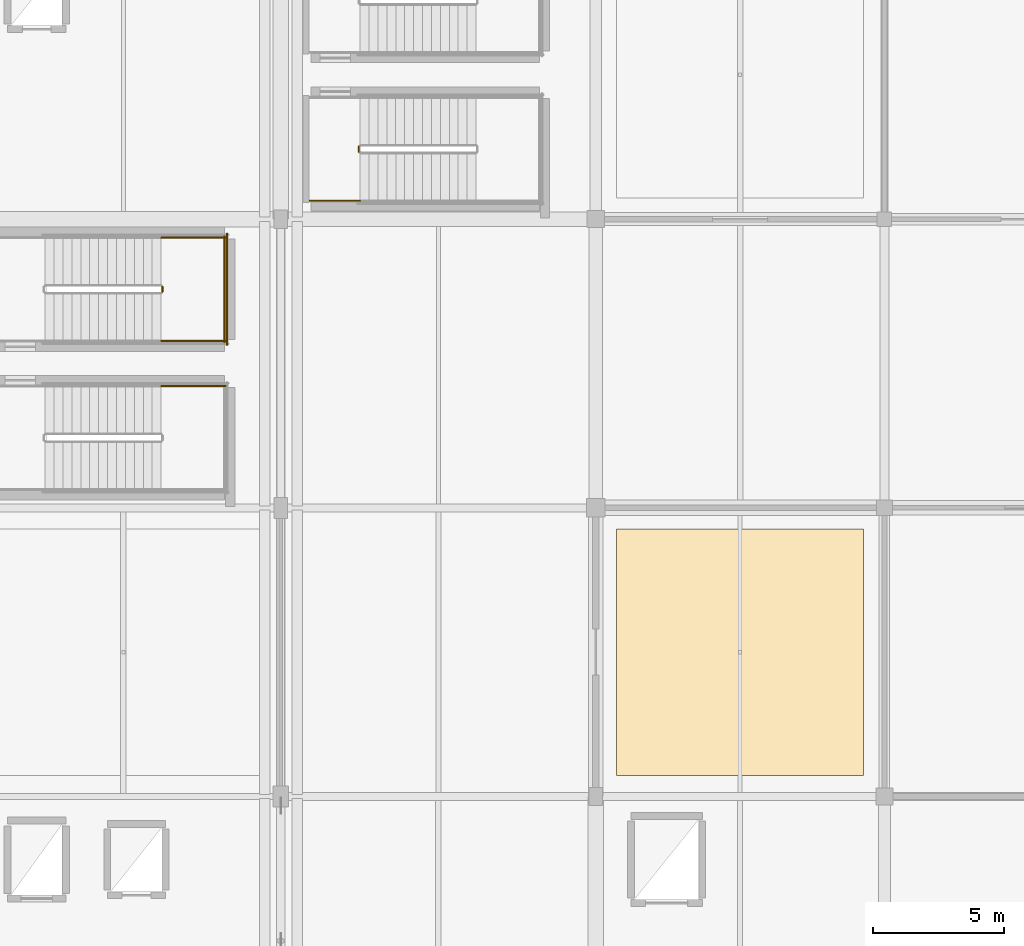
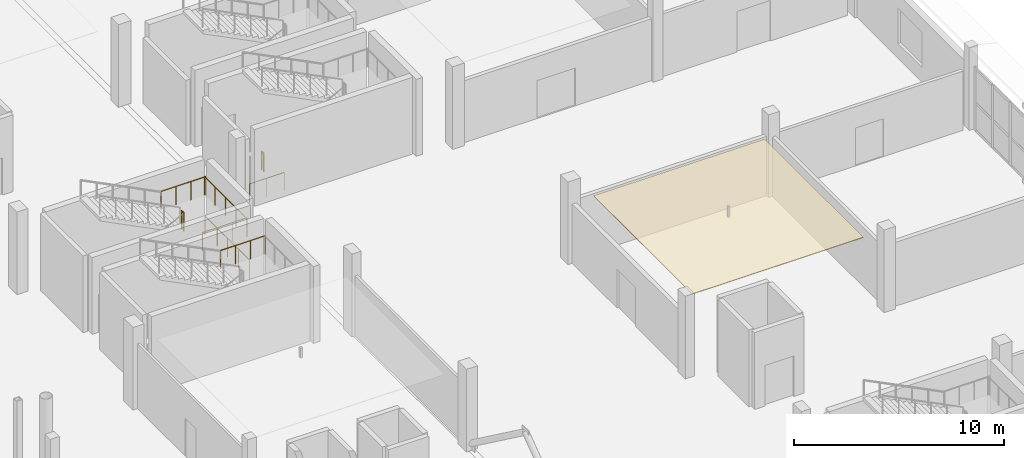
# One storey, part 136 of 143: 8 railings, 1 covering.
"""IFC4 building model written with IfcOpenShell, lengths in metres."""

from ifc_helpers import new_model, si_unit, direction, frame, origin, origin_2d, place, context, subcontext, project, spatial, polyline, circle, outline, extrude, material, layer, layer_set, type_object, element, save


model = new_model("IFC4")

# Units and contexts
model_context = context("Model", 3, precision=1e-05, world=origin(), true_north=direction((0.0, 1.0)))
body_context = subcontext(model_context, "Body", "Model", "MODEL_VIEW")
ifc_project = project(units=[si_unit("LENGTHUNIT", "METRE"), si_unit("AREAUNIT", "SQUARE_METRE"), si_unit("VOLUMEUNIT", "CUBIC_METRE"), si_unit("PLANEANGLEUNIT", "RADIAN"), si_unit("MASSUNIT", "GRAM", prefix="KILO")], contexts=[model_context])

# Site, building, storey
site_placement = place(None, origin())
site = spatial("IfcSite", under=ifc_project, at=site_placement, CompositionType="ELEMENT")
building_placement = place(site_placement, origin())
building = spatial("IfcBuilding", under=site, at=building_placement, Name="Luwafu Chhajja Arena", CompositionType="ELEMENT")
storey_placement = place(building_placement, frame((0.0, 0.0, 5.39990234375)))
storey = spatial("IfcBuildingStorey", under=building, at=storey_placement, Name="L01", CompositionType="ELEMENT", Elevation=5.39990234375)

# Covering
ifc_material_1 = material(Name="Acoustic gypsum ceiling board")
ifc_layer = layer(ifc_material_1, 0.0400390625, Name="Acoustic gypsum ceiling board")
ifc_layer_set = layer_set([ifc_layer], Name="Acoustic gypsum ceiling board")
covering_type = type_object("IfcCoveringType", Name="Perforated Acoustic Baffle Ceiling", PredefinedType="CEILING", material=ifc_layer_set)
covering_placement = place(storey_placement, frame((0.0, 0.0, 3.83935546875)))
element("IfcCovering", 1, at=covering_placement, inside=storey, type_object=covering_type, Name="L01 Acoustic Baffle Ceiling 038", PredefinedType="CEILING", context=body_context, shape_type="SweptSolid", body=[
    extrude(outline(polyline([(176.800048828125, 33.800048828125), (186.199951171875, 33.800048828125), (186.199951171875, 43.199951171875), (176.800048828125, 43.199951171875), (176.800048828125, 33.800048828125)])), origin(), (0.0, 0.0, 1.0), 0.0400390625),
])

# Railings
ifc_material_2 = material(Name="Stainless steel balustrade", Category="steel")
railing_type = type_object("IfcRailingType", Name="Stair and Terrace Guard Balustrade 1100", PredefinedType="BALUSTRADE", material=ifc_material_2)
railing_1_placement = place(storey_placement, frame((159.43994140625, 48.639892578125, 2.400146484375)))
element("IfcRailing", 2, at=railing_1_placement, inside=storey, type_object=railing_type, Name="L01 ST-11 stair guard 4", PredefinedType="BALUSTRADE", context=body_context, shape_type="SweptSolid", body=[
    extrude(circle(Radius=0.02392578125, at=origin_2d()), frame((0.0, 0.0, 1.076171875), z_axis=(1.0, 0.0, 0.0), x_axis=(0.0, 1.0, 0.0)), (0.0, 0.0, 1.0), 2.4599609375),
    extrude(circle(Radius=0.02099609375, at=origin_2d()), origin(), (0.0, 0.0, 1.0), 1.052001953125),
    extrude(circle(Radius=0.02099609375, at=origin_2d()), frame((0.820068359375, 0.0, 0.0)), (0.0, 0.0, 1.0), 1.052001953125),
    extrude(circle(Radius=0.02099609375, at=origin_2d()), frame((1.639892578125, 0.0, 0.0)), (0.0, 0.0, 1.0), 1.052001953125),
    extrude(circle(Radius=0.02099609375, at=origin_2d()), frame((2.4599609375, 0.0, 0.0)), (0.0, 0.0, 1.0), 1.052001953125),
])
railing_2_placement = place(storey_placement, frame((159.489990234375, 52.22998046875, 2.400146484375)))
element("IfcRailing", 3, at=railing_2_placement, inside=storey, type_object=railing_type, Name="L01 ST-12 stair guard 2", PredefinedType="BALUSTRADE", context=body_context, shape_type="SweptSolid", body=[
    extrude(circle(Radius=0.02392578125, at=origin_2d()), frame((0.0, 0.0, 1.076171875), z_axis=(0.0, 1.0, 0.0), x_axis=(-1.0, 0.0, 0.0)), (0.0, 0.0, 1.0), 0.199951171875),
    extrude(circle(Radius=0.02099609375, at=origin_2d()), origin(), (0.0, 0.0, 1.0), 1.052001953125),
    extrude(circle(Radius=0.02099609375, at=origin_2d()), frame((0.0, 0.199951171875, 0.0)), (0.0, 0.0, 1.0), 1.052001953125),
])
for number, where, name in (
    (4, (159.43994140625, 50.360107421875, 2.400146484375), "L01 ST-12 stair guard 3"),
    (5, (159.43994140625, 54.300048828125, 2.400146484375), "L01 ST-12 stair guard 4"),
):
    element("IfcRailing", number, at=place(storey_placement, frame(where)), inside=storey, type_object=railing_type, Name=name, PredefinedType="BALUSTRADE", context=body_context, shape_type="SweptSolid", body=[
        extrude(circle(Radius=0.02392578125, at=origin_2d()), frame((0.0, 0.0, 1.076171875), z_axis=(1.0, 0.0, 0.0), x_axis=(0.0, 1.0, 0.0)), (0.0, 0.0, 1.0), 2.4599609375),
        extrude(circle(Radius=0.02099609375, at=origin_2d()), origin(), (0.0, 0.0, 1.0), 1.052001953125),
        extrude(circle(Radius=0.02099609375, at=origin_2d()), frame((0.820068359375, 0.0, 0.0)), (0.0, 0.0, 1.0), 1.052001953125),
        extrude(circle(Radius=0.02099609375, at=origin_2d()), frame((1.639892578125, 0.0, 0.0)), (0.0, 0.0, 1.0), 1.052001953125),
        extrude(circle(Radius=0.02099609375, at=origin_2d()), frame((2.4599609375, 0.0, 0.0)), (0.0, 0.0, 1.0), 1.052001953125),
    ])
railing_3_placement = place(storey_placement, frame((161.85009765625, 50.31005859375, 2.400146484375)))
element("IfcRailing", 6, at=railing_3_placement, inside=storey, type_object=railing_type, Name="L01 ST-12 stair guard 5", PredefinedType="BALUSTRADE", context=body_context, shape_type="SweptSolid", body=[
    extrude(circle(Radius=0.02392578125, at=origin_2d()), frame((0.0, 0.0, 1.076171875), z_axis=(0.0, 1.0, 0.0), x_axis=(-1.0, 0.0, 0.0)), (0.0, 0.0, 1.0), 4.0400390625),
    extrude(circle(Radius=0.02099609375, at=origin_2d()), origin(), (0.0, 0.0, 1.0), 1.052001953125),
    extrude(circle(Radius=0.02099609375, at=origin_2d()), frame((0.0, 1.010009765625, 0.0)), (0.0, 0.0, 1.0), 1.052001953125),
    extrude(circle(Radius=0.02099609375, at=origin_2d()), frame((0.0, 2.02001953125, 0.0)), (0.0, 0.0, 1.0), 1.052001953125),
    extrude(circle(Radius=0.02099609375, at=origin_2d()), frame((0.0, 3.030029296875, 0.0)), (0.0, 0.0, 1.0), 1.052001953125),
    extrude(circle(Radius=0.02099609375, at=origin_2d()), frame((0.0, 4.0400390625, 0.0)), (0.0, 0.0, 1.0), 1.052001953125),
])
railing_4_placement = place(storey_placement, frame((161.949951171875, 50.2099609375, 0.0)))
element("IfcRailing", 7, at=railing_4_placement, inside=storey, type_object=railing_type, Name="L01 ST-12 stair guard 12", PredefinedType="BALUSTRADE", context=body_context, shape_type="SweptSolid", body=[
    extrude(circle(Radius=0.02392578125, at=origin_2d()), frame((0.0, 0.0, 1.076171875), z_axis=(0.0, 1.0, 0.0), x_axis=(-1.0, 0.0, 0.0)), (0.0, 0.0, 1.0), 4.239990234375),
    extrude(circle(Radius=0.02099609375, at=origin_2d()), origin(), (0.0, 0.0, 1.0), 1.052001953125),
    extrude(circle(Radius=0.02099609375, at=origin_2d()), frame((0.0, 1.06005859375, 0.0)), (0.0, 0.0, 1.0), 1.052001953125),
    extrude(circle(Radius=0.02099609375, at=origin_2d()), frame((0.0, 2.1201171875, 0.0)), (0.0, 0.0, 1.0), 1.052001953125),
    extrude(circle(Radius=0.02099609375, at=origin_2d()), frame((0.0, 3.179931640625, 0.0)), (0.0, 0.0, 1.0), 1.052001953125),
    extrude(circle(Radius=0.02099609375, at=origin_2d()), frame((0.0, 4.239990234375, 0.0)), (0.0, 0.0, 1.0), 1.052001953125),
])
railing_5_placement = place(storey_placement, frame((166.969970703125, 57.570068359375, 0.0)))
element("IfcRailing", 8, at=railing_5_placement, inside=storey, type_object=railing_type, Name="L01 ST-19 stair guard 7", PredefinedType="BALUSTRADE", context=body_context, shape_type="SweptSolid", body=[
    extrude(circle(Radius=0.02392578125, at=origin_2d()), frame((0.0, 0.0, 1.076171875), z_axis=(0.0, 1.0, 0.0), x_axis=(-1.0, 0.0, 0.0)), (0.0, 0.0, 1.0), 0.199951171875),
    extrude(circle(Radius=0.02099609375, at=origin_2d()), origin(), (0.0, 0.0, 1.0), 1.052001953125),
    extrude(circle(Radius=0.02099609375, at=origin_2d()), frame((0.0, 0.199951171875, 0.0)), (0.0, 0.0, 1.0), 1.052001953125),
])
railing_6_placement = place(storey_placement, frame((165.10009765625, 55.699951171875, 0.0)))
element("IfcRailing", 9, at=railing_6_placement, inside=storey, type_object=railing_type, Name="L01 ST-19 stair guard 8", PredefinedType="BALUSTRADE", context=body_context, shape_type="SweptSolid", body=[
    extrude(circle(Radius=0.02392578125, at=origin_2d()), frame((0.0, 0.0, 1.076171875), z_axis=(1.0, 0.0, 0.0), x_axis=(0.0, 1.0, 0.0)), (0.0, 0.0, 1.0), 1.919921875),
    extrude(circle(Radius=0.02099609375, at=origin_2d()), origin(), (0.0, 0.0, 1.0), 1.052001953125),
    extrude(circle(Radius=0.02099609375, at=origin_2d()), frame((0.9599609375, 0.0, 0.0)), (0.0, 0.0, 1.0), 1.052001953125),
    extrude(circle(Radius=0.02099609375, at=origin_2d()), frame((1.919921875, 0.0, 0.0)), (0.0, 0.0, 1.0), 1.052001953125),
])

save(model, "model.ifc")
